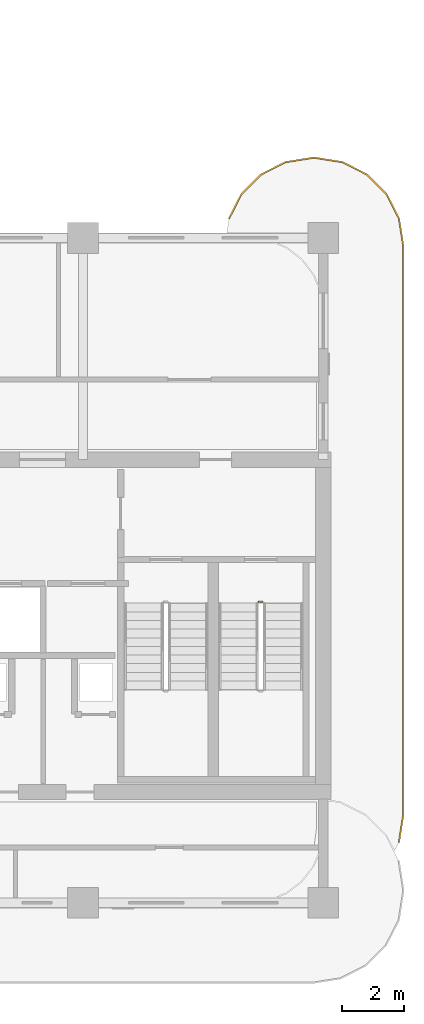
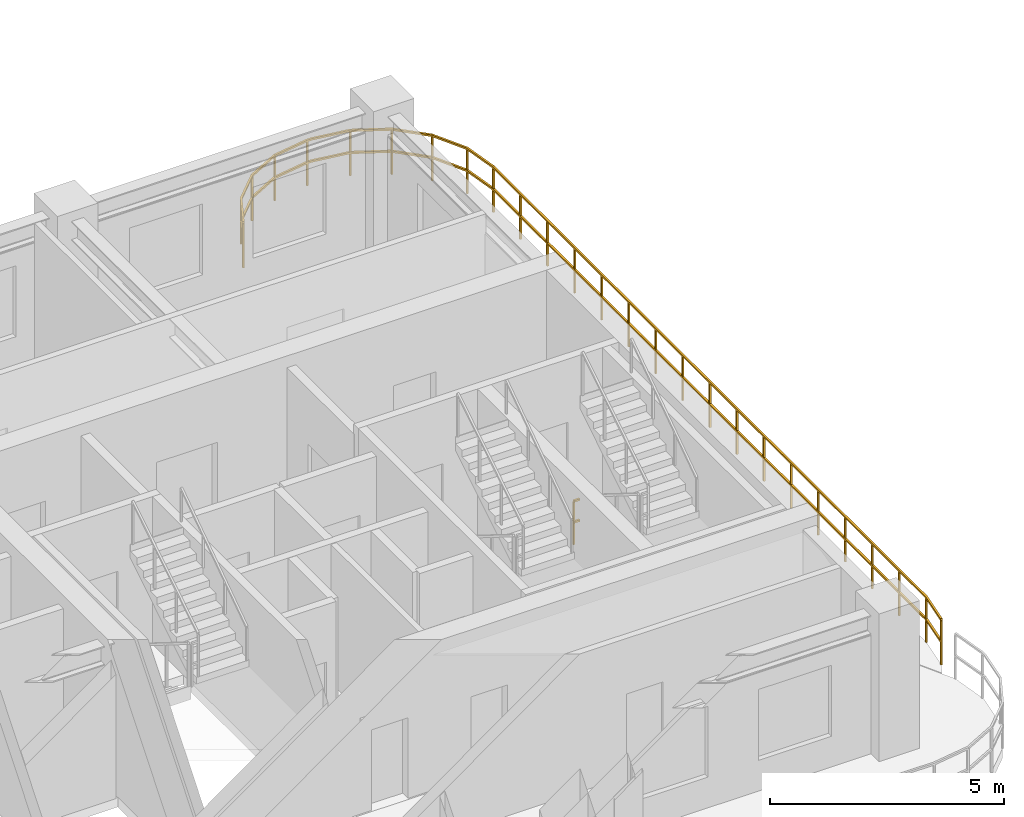
# One storey, part 13 of 15: 2 railings.
"""IFC4 building model written with IfcOpenShell, lengths in metres."""

from ifc_helpers import new_model, si_unit, derived_unit, direction, frame, origin, origin_2d, place, context, subcontext, project, spatial, rectangle, extrude, material, type_object, element, save


model = new_model("IFC4")

# Units and contexts
model_context = context("Model", 3, precision=1e-05, world=origin(), true_north=direction((0.0, 1.0)))
body_context = subcontext(model_context, "Body", "Model", "MODEL_VIEW")
ifc_project = project(units=[si_unit("LENGTHUNIT", "METRE"), si_unit("AREAUNIT", "SQUARE_METRE"), si_unit("VOLUMEUNIT", "CUBIC_METRE"), si_unit("PLANEANGLEUNIT", "RADIAN"), si_unit("MASSUNIT", "GRAM", prefix="KILO"), si_unit("THERMODYNAMICTEMPERATUREUNIT", "KELVIN"), si_unit("POWERUNIT", "WATT"), derived_unit("THERMALTRANSMITTANCEUNIT", [(si_unit("POWERUNIT", "WATT"), 1), (si_unit("AREAUNIT", "SQUARE_METRE"), -1), (si_unit("THERMODYNAMICTEMPERATUREUNIT", "KELVIN"), -1)])], contexts=[model_context])

# Site, building, storey
site_placement = place(None, origin())
site = spatial("IfcSite", under=ifc_project, at=site_placement, CompositionType="ELEMENT")
building_placement = place(site_placement, origin())
building = spatial("IfcBuilding", under=site, at=building_placement, Name="Zahravan Archway Hotel and Residences", CompositionType="ELEMENT")
storey_placement = place(building_placement, frame((0.0, 0.0, 184.949951171875)))
storey = spatial("IfcBuildingStorey", under=building, at=storey_placement, Name="L46", CompositionType="ELEMENT", Elevation=184.949951171875)

# Railings
ifc_material_1 = material(Name="Bronze & Laminated Glass Balustrade", Category="glass")
railing_type_1 = type_object("IfcRailingType", Name="RL-BAL-1200", PredefinedType="BALUSTRADE", material=ifc_material_1)
railing_1_placement = place(storey_placement, frame((46.739501953125, 22.230712890625, 0.0)))
element("IfcRailing", 1, at=railing_1_placement, inside=storey, type_object=railing_type_1, Name="L46 Balustrade RL-SLB-BAL-L46-EA-1", PredefinedType="BALUSTRADE", context=body_context, shape_type="SweptSolid", body=[
    extrude(rectangle(XDim=0.048095703125, YDim=0.048095703125, at=origin_2d()), frame((0.0, 0.0, 1.17578125), z_axis=(0.453991409995, 0.891006060389, 0.0), x_axis=(-0.891006060389, 0.453991409995, 0.0)), (0.0, 0.0, 1.0), 0.8916015625),
    extrude(rectangle(XDim=0.048095703125, YDim=0.048095703125, at=origin_2d()), frame((0.0, 0.0, 0.60009765625), z_axis=(0.453991409995, 0.891006060389, 0.0), x_axis=(-0.891006060389, 0.453991409995, 0.0)), (0.0, 0.0, 1.0), 0.8916015625),
    extrude(rectangle(XDim=0.048095703125, YDim=0.048095703125, at=origin_2d()), frame((0.40478515625, 0.79443359375, 1.17578125), z_axis=(0.707106781187, 0.707106781187, 0.0), x_axis=(-0.707106781187, 0.707106781187, 0.0)), (0.0, 0.0, 1.0), 0.891845703125),
    extrude(rectangle(XDim=0.048095703125, YDim=0.048095703125, at=origin_2d()), frame((0.40478515625, 0.79443359375, 0.60009765625), z_axis=(0.707106781187, 0.707106781187, 0.0), x_axis=(-0.707106781187, 0.707106781187, 0.0)), (0.0, 0.0, 1.0), 0.891845703125),
    extrude(rectangle(XDim=0.048095703125, YDim=0.048095703125, at=origin_2d()), frame((1.035400390625, 1.425048828125, 1.17578125), z_axis=(0.891006060389, 0.453991409995, 0.0), x_axis=(-0.453991409995, 0.891006060389, 0.0)), (0.0, 0.0, 1.0), 0.8916015625),
    extrude(rectangle(XDim=0.048095703125, YDim=0.048095703125, at=origin_2d()), frame((1.035400390625, 1.425048828125, 0.60009765625), z_axis=(0.891006060389, 0.453991409995, 0.0), x_axis=(-0.453991409995, 0.891006060389, 0.0)), (0.0, 0.0, 1.0), 0.8916015625),
    extrude(rectangle(XDim=0.048095703125, YDim=0.048095703125, at=origin_2d()), frame((1.829833984375, 1.829833984375, 1.17578125), z_axis=(0.987700720307, 0.156356282588, 0.0), x_axis=(-0.156356282588, 0.987700720307, 0.0)), (0.0, 0.0, 1.0), 0.8916015625),
    extrude(rectangle(XDim=0.048095703125, YDim=0.048095703125, at=origin_2d()), frame((1.829833984375, 1.829833984375, 0.60009765625), z_axis=(0.987700720307, 0.156356282588, 0.0), x_axis=(-0.156356282588, 0.987700720307, 0.0)), (0.0, 0.0, 1.0), 0.8916015625),
    extrude(rectangle(XDim=0.048095703125, YDim=0.048095703125, at=origin_2d()), frame((2.71044921875, 1.96923828125, 1.17578125), z_axis=(1.0, 0.0, 0.0), x_axis=(0.0, 1.0, 0.0)), (0.0, 0.0, 1.0), 0.10009765625),
    extrude(rectangle(XDim=0.048095703125, YDim=0.048095703125, at=origin_2d()), frame((2.71044921875, 1.96923828125, 0.60009765625), z_axis=(1.0, 0.0, 0.0), x_axis=(0.0, 1.0, 0.0)), (0.0, 0.0, 1.0), 0.10009765625),
    extrude(rectangle(XDim=0.048095703125, YDim=0.048095703125, at=origin_2d()), frame((2.810546875, 1.96923828125, 1.17578125), z_axis=(0.987700720307, -0.156356282588, 0.0), x_axis=(0.156356282588, 0.987700720307, 0.0)), (0.0, 0.0, 1.0), 0.8916015625),
    extrude(rectangle(XDim=0.048095703125, YDim=0.048095703125, at=origin_2d()), frame((2.810546875, 1.96923828125, 0.60009765625), z_axis=(0.987700720307, -0.156356282588, 0.0), x_axis=(0.156356282588, 0.987700720307, 0.0)), (0.0, 0.0, 1.0), 0.8916015625),
    extrude(rectangle(XDim=0.048095703125, YDim=0.048095703125, at=origin_2d()), frame((3.691162109375, 1.829833984375, 1.17578125), z_axis=(0.891006060389, -0.453991409995, 0.0), x_axis=(0.453991409995, 0.891006060389, 0.0)), (0.0, 0.0, 1.0), 0.8916015625),
    extrude(rectangle(XDim=0.048095703125, YDim=0.048095703125, at=origin_2d()), frame((3.691162109375, 1.829833984375, 0.60009765625), z_axis=(0.891006060389, -0.453991409995, 0.0), x_axis=(0.453991409995, 0.891006060389, 0.0)), (0.0, 0.0, 1.0), 0.8916015625),
    extrude(rectangle(XDim=0.048095703125, YDim=0.048095703125, at=origin_2d()), frame((4.485595703125, 1.425048828125, 1.17578125), z_axis=(0.707106781187, -0.707106781187, 0.0), x_axis=(0.707106781187, 0.707106781187, 0.0)), (0.0, 0.0, 1.0), 0.891845703125),
    extrude(rectangle(XDim=0.048095703125, YDim=0.048095703125, at=origin_2d()), frame((4.485595703125, 1.425048828125, 0.60009765625), z_axis=(0.707106781187, -0.707106781187, 0.0), x_axis=(0.707106781187, 0.707106781187, 0.0)), (0.0, 0.0, 1.0), 0.891845703125),
    extrude(rectangle(XDim=0.048095703125, YDim=0.048095703125, at=origin_2d()), frame((5.1162109375, 0.79443359375, 1.17578125), z_axis=(0.453991409995, -0.891006060389, 0.0), x_axis=(0.891006060389, 0.453991409995, 0.0)), (0.0, 0.0, 1.0), 0.8916015625),
    extrude(rectangle(XDim=0.048095703125, YDim=0.048095703125, at=origin_2d()), frame((5.1162109375, 0.79443359375, 0.60009765625), z_axis=(0.453991409995, -0.891006060389, 0.0), x_axis=(0.891006060389, 0.453991409995, 0.0)), (0.0, 0.0, 1.0), 0.8916015625),
    extrude(rectangle(XDim=0.048095703125, YDim=0.048095703125, at=origin_2d()), frame((5.52099609375, 0.0, 1.17578125), z_axis=(0.156356282588, -0.987700720307, 0.0), x_axis=(0.987700720307, 0.156356282588, 0.0)), (0.0, 0.0, 1.0), 0.8916015625),
    extrude(rectangle(XDim=0.048095703125, YDim=0.048095703125, at=origin_2d()), frame((5.52099609375, 0.0, 0.60009765625), z_axis=(0.156356282588, -0.987700720307, 0.0), x_axis=(0.987700720307, 0.156356282588, 0.0)), (0.0, 0.0, 1.0), 0.8916015625),
    extrude(rectangle(XDim=0.048095703125, YDim=0.048095703125, at=origin_2d()), frame((5.660400390625, -0.880615234375, 1.17578125), z_axis=(0.0, -1.0, 0.0), x_axis=(1.0, 0.0, 0.0)), (0.0, 0.0, 1.0), 18.5),
    extrude(rectangle(XDim=0.048095703125, YDim=0.048095703125, at=origin_2d()), frame((5.660400390625, -0.880615234375, 0.60009765625), z_axis=(0.0, -1.0, 0.0), x_axis=(1.0, 0.0, 0.0)), (0.0, 0.0, 1.0), 18.5),
    extrude(rectangle(XDim=0.048095703125, YDim=0.048095703125, at=origin_2d()), frame((5.660400390625, -19.380615234375, 1.17578125), z_axis=(-0.156314005608, -0.987707411965, 0.0), x_axis=(0.987707411965, -0.156314005608, 0.0)), (0.0, 0.0, 1.0), 0.891845703125),
    extrude(rectangle(XDim=0.048095703125, YDim=0.048095703125, at=origin_2d()), frame((5.660400390625, -19.380615234375, 0.60009765625), z_axis=(-0.156314005608, -0.987707411965, 0.0), x_axis=(0.987707411965, -0.156314005608, 0.0)), (0.0, 0.0, 1.0), 0.891845703125),
    extrude(rectangle(XDim=0.0419921875, YDim=0.0419921875, at=origin_2d()), origin(), (0.0, 0.0, 1.0), 1.15185546875),
    extrude(rectangle(XDim=0.0419921875, YDim=0.0419921875, at=origin_2d()), frame((0.40478515625, 0.79443359375, 0.0)), (0.0, 0.0, 1.0), 1.15185546875),
    extrude(rectangle(XDim=0.0419921875, YDim=0.0419921875, at=origin_2d()), frame((1.035400390625, 1.425048828125, 0.0)), (0.0, 0.0, 1.0), 1.15185546875),
    extrude(rectangle(XDim=0.0419921875, YDim=0.0419921875, at=origin_2d()), frame((1.829833984375, 1.829833984375, 0.0)), (0.0, 0.0, 1.0), 1.15185546875),
    extrude(rectangle(XDim=0.0419921875, YDim=0.0419921875, at=origin_2d()), frame((2.71044921875, 1.96923828125, 0.0)), (0.0, 0.0, 1.0), 1.15185546875),
    extrude(rectangle(XDim=0.0419921875, YDim=0.0419921875, at=origin_2d()), frame((3.691162109375, 1.829833984375, 0.0)), (0.0, 0.0, 1.0), 1.15185546875),
    extrude(rectangle(XDim=0.0419921875, YDim=0.0419921875, at=origin_2d()), frame((4.485595703125, 1.425048828125, 0.0)), (0.0, 0.0, 1.0), 1.15185546875),
    extrude(rectangle(XDim=0.0419921875, YDim=0.0419921875, at=origin_2d()), frame((5.1162109375, 0.79443359375, 0.0)), (0.0, 0.0, 1.0), 1.15185546875),
    extrude(rectangle(XDim=0.0419921875, YDim=0.0419921875, at=origin_2d()), frame((5.52099609375, 0.0, 0.0)), (0.0, 0.0, 1.0), 1.15185546875),
    extrude(rectangle(XDim=0.0419921875, YDim=0.0419921875, at=origin_2d()), frame((5.660400390625, -0.880615234375, 0.0)), (0.0, 0.0, 1.0), 1.15185546875),
    extrude(rectangle(XDim=0.0419921875, YDim=0.0419921875, at=origin_2d()), frame((5.660400390625, -2.036865234375, 0.0)), (0.0, 0.0, 1.0), 1.15185546875),
    extrude(rectangle(XDim=0.0419921875, YDim=0.0419921875, at=origin_2d()), frame((5.660400390625, -3.193115234375, 0.0)), (0.0, 0.0, 1.0), 1.15185546875),
    extrude(rectangle(XDim=0.0419921875, YDim=0.0419921875, at=origin_2d()), frame((5.660400390625, -4.349365234375, 0.0)), (0.0, 0.0, 1.0), 1.15185546875),
    extrude(rectangle(XDim=0.0419921875, YDim=0.0419921875, at=origin_2d()), frame((5.660400390625, -5.505615234375, 0.0)), (0.0, 0.0, 1.0), 1.15185546875),
    extrude(rectangle(XDim=0.0419921875, YDim=0.0419921875, at=origin_2d()), frame((5.660400390625, -6.661865234375, 0.0)), (0.0, 0.0, 1.0), 1.15185546875),
    extrude(rectangle(XDim=0.0419921875, YDim=0.0419921875, at=origin_2d()), frame((5.660400390625, -7.818115234375, 0.0)), (0.0, 0.0, 1.0), 1.15185546875),
    extrude(rectangle(XDim=0.0419921875, YDim=0.0419921875, at=origin_2d()), frame((5.660400390625, -8.974365234375, 0.0)), (0.0, 0.0, 1.0), 1.15185546875),
    extrude(rectangle(XDim=0.0419921875, YDim=0.0419921875, at=origin_2d()), frame((5.660400390625, -10.130615234375, 0.0)), (0.0, 0.0, 1.0), 1.15185546875),
    extrude(rectangle(XDim=0.0419921875, YDim=0.0419921875, at=origin_2d()), frame((5.660400390625, -11.286865234375, 0.0)), (0.0, 0.0, 1.0), 1.15185546875),
    extrude(rectangle(XDim=0.0419921875, YDim=0.0419921875, at=origin_2d()), frame((5.660400390625, -12.443115234375, 0.0)), (0.0, 0.0, 1.0), 1.15185546875),
    extrude(rectangle(XDim=0.0419921875, YDim=0.0419921875, at=origin_2d()), frame((5.660400390625, -13.599365234375, 0.0)), (0.0, 0.0, 1.0), 1.15185546875),
    extrude(rectangle(XDim=0.0419921875, YDim=0.0419921875, at=origin_2d()), frame((5.660400390625, -14.755615234375, 0.0)), (0.0, 0.0, 1.0), 1.15185546875),
    extrude(rectangle(XDim=0.0419921875, YDim=0.0419921875, at=origin_2d()), frame((5.660400390625, -15.911865234375, 0.0)), (0.0, 0.0, 1.0), 1.15185546875),
    extrude(rectangle(XDim=0.0419921875, YDim=0.0419921875, at=origin_2d()), frame((5.660400390625, -17.068115234375, 0.0)), (0.0, 0.0, 1.0), 1.15185546875),
    extrude(rectangle(XDim=0.0419921875, YDim=0.0419921875, at=origin_2d()), frame((5.660400390625, -18.224365234375, 0.0)), (0.0, 0.0, 1.0), 1.15185546875),
    extrude(rectangle(XDim=0.0419921875, YDim=0.0419921875, at=origin_2d()), frame((5.660400390625, -19.380615234375, 0.0)), (0.0, 0.0, 1.0), 1.15185546875),
    extrude(rectangle(XDim=0.0419921875, YDim=0.0419921875, at=origin_2d()), frame((5.52099609375, -20.261474609375, 0.0)), (0.0, 0.0, 1.0), 1.15185546875),
])
ifc_material_2 = material(Name="Painted Tubular Steel", Category="steel")
railing_type_2 = type_object("IfcRailingType", Name="RL-STG-1150", PredefinedType="GUARDRAIL", material=ifc_material_2)
railing_2_placement = place(storey_placement, frame((47.699951171875, 9.780029296875, 0.0)))
element("IfcRailing", 2, at=railing_2_placement, inside=storey, type_object=railing_type_2, Name="L46 ST-A3 stair guard 4", PredefinedType="GUARDRAIL", context=body_context, shape_type="SweptSolid", body=[
    extrude(rectangle(XDim=0.048095703125, YDim=0.048095703125, at=origin_2d()), frame((0.0, 0.0, 1.1259765625), z_axis=(1.0, 0.0, 0.0), x_axis=(0.0, 1.0, 0.0)), (0.0, 0.0, 1.0), 0.14013671875),
    extrude(rectangle(XDim=0.048095703125, YDim=0.048095703125, at=origin_2d()), frame((0.0, 0.0, 0.574951171875), z_axis=(1.0, 0.0, 0.0), x_axis=(0.0, 1.0, 0.0)), (0.0, 0.0, 1.0), 0.14013671875),
    extrude(rectangle(XDim=0.0419921875, YDim=0.0419921875, at=origin_2d()), origin(), (0.0, 0.0, 1.0), 1.101806640625),
])

save(model, "model.ifc")
